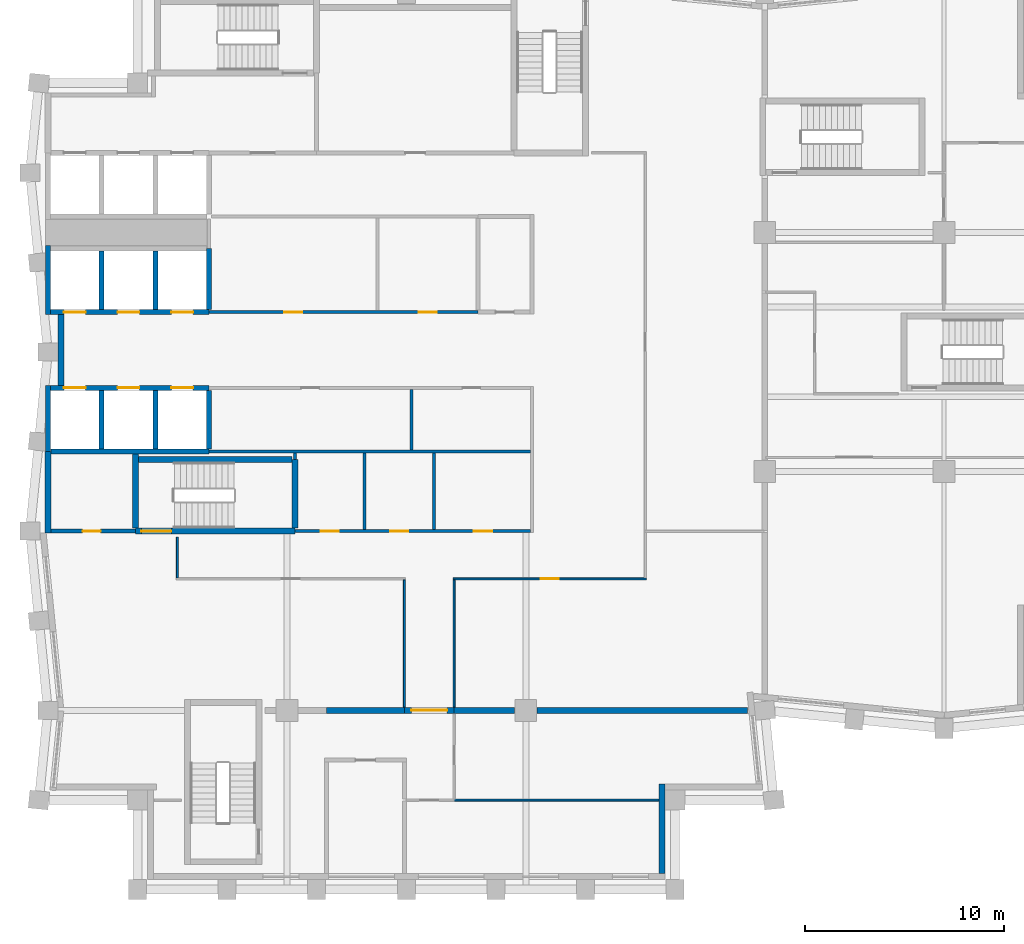
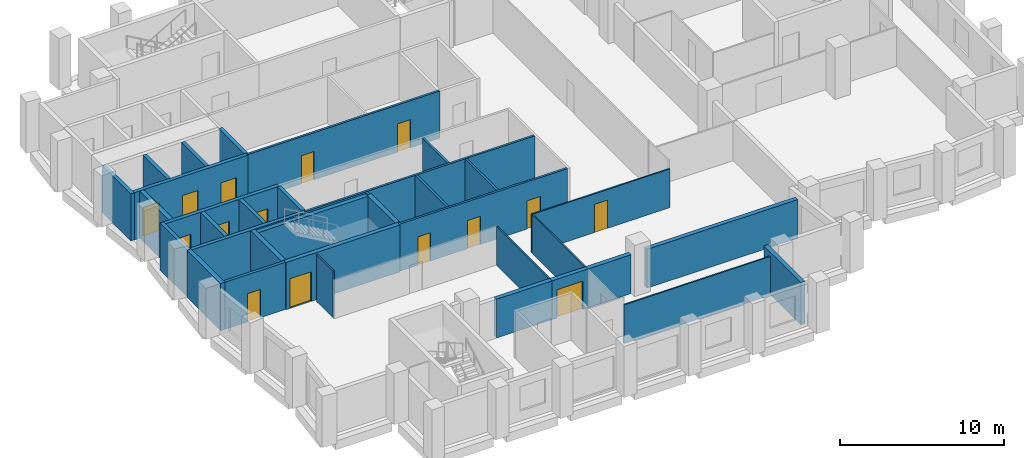
# One storey, part 3 of 8: 35 walls, 15 doors, 15 openings.
"""IFC4 building model written with IfcOpenShell, lengths in metres."""

import ifcopenshell
import ifcopenshell.guid

model = None  # the IFC model being written
_history = None  # IfcOwnerHistory: only IFC2X3 demands one
_inside = {}  # id of a spatial element -> (the spatial element, [elements in it])
_under = {}  # id of a project, library or spatial element -> (it, [spatial elements below it])
_declared = {}  # id of a project -> (the project, [libraries it declares])
_typed = {}  # id of a type object -> (the type object, [elements of that type])
_made_of = {}  # id of a material, layer set ... -> (it, [elements and type objects made of it])


def new_model(schema):
    """Start an empty IFC model of exactly this schema.

    Asked for "IFC4X3", IfcOpenShell would pick the latest addendum, in which some entities
    have other attributes; the version numbers below select the first issue.
    IFC2X3 requires an IfcOwnerHistory on every rooted entity: one is made here for all.
    """
    global model, _history
    if schema == "IFC4X3":
        model = ifcopenshell.file(schema_version=(4, 3, 0, 0))
    else:
        model = ifcopenshell.file(schema=schema)
    _inside.clear()
    _under.clear()
    _declared.clear()
    _typed.clear()
    _made_of.clear()
    _history = None
    if model.schema == "IFC2X3":
        org = make("IfcOrganization", Name="unknown")
        user = make(
            "IfcPersonAndOrganization",
            ThePerson=make("IfcPerson", FamilyName="unknown"),
            TheOrganization=org,
        )
        app = make(
            "IfcApplication",
            ApplicationDeveloper=org,
            Version="unknown",
            ApplicationFullName="unknown",
            ApplicationIdentifier="unknown",
        )
        _history = make(
            "IfcOwnerHistory",
            OwningUser=user,
            OwningApplication=app,
            ChangeAction="ADDED",
            CreationDate=0,
        )
    return model


def make(cls, **values):
    """One entity of the class cls with the attributes given. An attribute that is None is left unset."""
    return model.create_entity(
        cls, **{name: value for name, value in values.items() if value is not None}
    )


def rooted(cls, **values):
    """An entity with a GlobalId (a new one), such as an element, a storey or a relation."""
    return make(cls, GlobalId=ifcopenshell.guid.new(), OwnerHistory=_history, **values)


def si_unit(unit_type, name, prefix=None):
    """IfcSIUnit, for example si_unit("LENGTHUNIT", "METRE", prefix="MILLI")."""
    return make("IfcSIUnit", UnitType=unit_type, Prefix=prefix, Name=name)


def assignment(units):
    """IfcUnitAssignment: the units of a project."""
    return None if units is None else make("IfcUnitAssignment", Units=units)


def point(xyz):
    """IfcCartesianPoint."""
    return None if xyz is None else make("IfcCartesianPoint", Coordinates=xyz)


def direction(xyz):
    """IfcDirection."""
    return None if xyz is None else make("IfcDirection", DirectionRatios=xyz)


def frame(location, z_axis=None, x_axis=None):
    """IfcAxis2Placement3D, a coordinate frame: its origin and axes. An axis left out is left unset."""
    return make(
        "IfcAxis2Placement3D",
        Location=point(location),
        Axis=direction(z_axis),
        RefDirection=direction(x_axis),
    )


def frame_2d(location, x_axis=None):
    """IfcAxis2Placement2D, a coordinate frame in the plane: its origin and x axis."""
    return make(
        "IfcAxis2Placement2D", Location=point(location), RefDirection=direction(x_axis)
    )


def origin():
    """The frame at (0, 0, 0) with its axes left unset."""
    return frame((0.0, 0.0, 0.0))


def place(relative_to, where):
    """IfcLocalPlacement: puts the frame where relative to a parent placement (None: the world)."""
    return make(
        "IfcLocalPlacement", PlacementRelTo=relative_to, RelativePlacement=where
    )


def context(
    kind, dimensions, precision=None, world=None, true_north=None, identifier=None
):
    """IfcGeometricRepresentationContext, for example the 3D "Model" context."""
    return make(
        "IfcGeometricRepresentationContext",
        ContextIdentifier=identifier,
        ContextType=kind,
        CoordinateSpaceDimension=dimensions,
        Precision=precision,
        WorldCoordinateSystem=world,
        TrueNorth=true_north,
    )


def subcontext(parent, identifier, kind, view, scale=None):
    """IfcGeometricRepresentationSubContext, for example "Body" below "Model"."""
    return make(
        "IfcGeometricRepresentationSubContext",
        ContextIdentifier=identifier,
        ContextType=kind,
        ParentContext=parent,
        TargetScale=scale,
        TargetView=view,
    )


def project(units=None, contexts=None):
    """IfcProject with its units and contexts."""
    return rooted(
        "IfcProject",
        Name="project",
        RepresentationContexts=contexts,
        UnitsInContext=assignment(units),
    )


def spatial(cls, under=None, at=None, **own):
    """A site, building, storey or space (cls), placed at a placement, below another one or the project."""
    s = rooted(cls, ObjectPlacement=at, **own)
    if under is not None:
        _under.setdefault(under.id(), (under, []))[1].append(s)
    return s


def profile(cls, at=None, kind="AREA", **sizes):
    """A parametric profile (cls). Its sizes go by their IFC names, for example OverallWidth=200.0."""
    return make(cls, ProfileType=kind, Position=at, **sizes)


def rectangle(**sizes):
    """IfcRectangleProfileDef."""
    return profile("IfcRectangleProfileDef", **sizes)


def extrude(swept, where, along, depth):
    """IfcExtrudedAreaSolid: the profile swept, set in the frame where, extruded along a direction by depth."""
    return make(
        "IfcExtrudedAreaSolid",
        SweptArea=swept,
        Position=where,
        ExtrudedDirection=direction(along),
        Depth=depth,
    )


def shape(context_of_items, identifier, shape_type, items):
    """IfcShapeRepresentation: the items that make up one representation, for example the "Body"."""
    return make(
        "IfcShapeRepresentation",
        ContextOfItems=context_of_items,
        RepresentationIdentifier=identifier,
        RepresentationType=shape_type,
        Items=items,
    )


def material(Name=None, Category=None):
    """IfcMaterial."""
    return make("IfcMaterial", Name=Name, Category=Category)


def layer(
    of_material, thickness, ventilated=None, Name=None, Category=None, Priority=None
):
    """IfcMaterialLayer: one layer of a wall or slab, of a material (None: an air gap)."""
    return make(
        "IfcMaterialLayer",
        Material=of_material,
        LayerThickness=thickness,
        IsVentilated=ventilated,
        Name=Name,
        Category=Category,
        Priority=Priority,
    )


def layer_set(layers, Name=None):
    """IfcMaterialLayerSet."""
    return make("IfcMaterialLayerSet", MaterialLayers=layers, LayerSetName=Name)


def made_of(thing, what):
    """Note that an element or type object is made of a material, layer set ...; save() writes the relation."""
    if what is not None:
        _made_of.setdefault(what.id(), (what, []))[1].append(thing)
    return thing


def type_object(cls, material=None, **own):
    """A type object (cls), such as IfcWallType, which elements share."""
    return made_of(rooted(cls, **own), material)


def element(
    cls,
    number,
    at=None,
    inside=None,
    cuts=None,
    type_object=None,
    material=None,
    context=None,
    identifier="Body",
    shape_type=None,
    held_by="IfcProductDefinitionShape",
    body=None,
    shapes=None,
    **own,
):
    """One element of the class cls, such as IfcWall. Its Tag is "e" and its number.

    at: its placement. inside: the storey or other place that contains it. cuts: it is an
    opening in that element (IfcRelVoidsElement). A single representation is given by context,
    identifier, shape_type and body (its items); several are given by shapes. held_by: the class
    of the entity that holds the representations. save() writes the other relations.
    """
    e = rooted(cls, Tag="e%d" % number, ObjectPlacement=at, **own)
    if body is not None:
        shapes = [shape(context, identifier, shape_type, body)]
    if shapes is not None:
        e.Representation = make(held_by, Representations=shapes)
    if inside is not None:
        _inside.setdefault(inside.id(), (inside, []))[1].append(e)
    if cuts is not None:
        rooted(
            "IfcRelVoidsElement", RelatingBuildingElement=cuts, RelatedOpeningElement=e
        )
    if type_object is not None:
        _typed.setdefault(type_object.id(), (type_object, []))[1].append(e)
    return made_of(e, material)


def fill(opening, filler):
    """IfcRelFillsElement: the door or window that sits in an opening."""
    return rooted(
        "IfcRelFillsElement",
        RelatingOpeningElement=opening,
        RelatedBuildingElement=filler,
    )


def aggregate(whole, parts):
    """IfcRelAggregates: a whole, such as a stair, and the parts it consists of."""
    return rooted("IfcRelAggregates", RelatingObject=whole, RelatedObjects=parts)


def save(model, path):
    """Write the relations noted so far, then the file.

    IfcRelAggregates (storeys below a building ...), IfcRelContainedInSpatialStructure (elements
    in a storey), IfcRelDefinesByType, IfcRelAssociatesMaterial and IfcRelDeclares: one each for
    every whole, place, type object, material and project.
    """
    for whole, parts in _under.values():
        aggregate(whole, parts)
    for where, things in _inside.values():
        rooted(
            "IfcRelContainedInSpatialStructure",
            RelatedElements=things,
            RelatingStructure=where,
        )
    for kind, things in _typed.values():
        rooted("IfcRelDefinesByType", RelatedObjects=things, RelatingType=kind)
    for what, things in _made_of.values():
        rooted("IfcRelAssociatesMaterial", RelatedObjects=things, RelatingMaterial=what)
    for by, libraries in _declared.values():
        rooted("IfcRelDeclares", RelatingContext=by, RelatedDefinitions=libraries)
    model.write(path)


model = new_model("IFC4")

# Units and contexts
model_context = context("Model", 3, precision=1e-05, world=origin(), true_north=direction((0.0, 1.0)))
body_context = subcontext(model_context, "Body", "Model", "MODEL_VIEW")
ifc_project = project(units=[si_unit("LENGTHUNIT", "METRE"), si_unit("AREAUNIT", "SQUARE_METRE"), si_unit("VOLUMEUNIT", "CUBIC_METRE"), si_unit("PLANEANGLEUNIT", "RADIAN"), si_unit("MASSUNIT", "GRAM", prefix="KILO")], contexts=[model_context])

# Site, building, storey
site_placement = place(None, origin())
site = spatial("IfcSite", under=ifc_project, at=site_placement, CompositionType="ELEMENT")
building_placement = place(site_placement, origin())
building = spatial("IfcBuilding", under=site, at=building_placement, Name="Brondeck Convention Tower", CompositionType="ELEMENT")
storey_placement = place(building_placement, frame((0.0, 0.0, 233.0)))
storey = spatial("IfcBuildingStorey", under=building, at=storey_placement, Name="L57", CompositionType="ELEMENT", Elevation=233.0)

# Wall
ifc_material_1 = material(Name="Concrete compartment wall C30/37", Category="concrete")
ifc_layer_1 = layer(ifc_material_1, 0.300048828125)
ifc_layer_set_1 = layer_set([ifc_layer_1], Name="Compartment wall 300")
wall_type_1 = type_object("IfcWallType", Name="Compartment wall 300", PredefinedType="PARTITIONING", material=ifc_layer_set_1)
wall_1_placement = place(storey_placement, frame((14.0, 27.0, 0.0), z_axis=(0.0, 0.0, 1.0), x_axis=(1.0, 0.0, 0.0)))
element("IfcWall", 1, at=wall_1_placement, inside=storey, type_object=wall_type_1, Name="FLR-L57-W015", PredefinedType="PARTITIONING", context=body_context, shape_type="SweptSolid", body=[
    extrude(rectangle(XDim=3.89990234375, YDim=0.300048828125, at=frame_2d((1.949951171875, 0.0))), origin(), (0.0, 0.0, 1.0), 2.8798828125),
])

# Wall, opening, door
wall_2_placement = place(storey_placement, frame((20.39990234375, 27.0, 0.0), z_axis=(0.0, 0.0, 1.0), x_axis=(-1.0, 0.0, 0.0)))
wall_2 = element("IfcWall", 2, at=wall_2_placement, inside=storey, type_object=wall_type_1, Name="FLR-L57-W016", PredefinedType="PARTITIONING", context=body_context, shape_type="SweptSolid", body=[
    extrude(rectangle(XDim=2.5, YDim=0.300048828125, at=frame_2d((1.25, 0.0))), origin(), (0.0, 0.0, 1.0), 2.8798828125),
])
opening_1_placement = place(wall_2_placement, frame((0.35009765625, 0.0, 0.0)))
opening_1 = element("IfcOpeningElement", 3, at=opening_1_placement, cuts=wall_2, Name="Opening OF-N-012", PredefinedType="OPENING", context=body_context, shape_type="SweptSolid", body=[
    extrude(rectangle(XDim=1.800048828125, YDim=2.10009765625, at=frame_2d((0.89990234375, 1.050048828125))), frame((0.0, 0.159912109375, 0.0), z_axis=(0.0, -1.0, 0.0), x_axis=(1.0, 0.0, 0.0)), (0.0, 0.0, 1.0), 0.320068359375),
])
ifc_material_2 = material(Name="Steel fire door pair", Category="steel")
door_type_1 = type_object("IfcDoorType", Name="Fire door pair 1800", OperationType="DOUBLE_DOOR_SINGLE_SWING", PredefinedType="DOOR", material=ifc_material_2)
door_1_placement = place(opening_1_placement, origin())
door_1 = element("IfcDoor", 4, at=door_1_placement, inside=storey, type_object=door_type_1, Name="Door OF-N-012", OperationType="DOUBLE_DOOR_SINGLE_SWING", OverallHeight=2.10009765625, OverallWidth=1.800048828125, PredefinedType="DOOR", context=body_context, shape_type="SweptSolid", body=[
    extrude(rectangle(XDim=1.800048828125, YDim=2.10009765625, at=frame_2d((0.89990234375, 1.050048828125))), frame((0.0, 0.02490234375, 0.0), z_axis=(0.0, -1.0, 0.0), x_axis=(1.0, 0.0, 0.0)), (0.0, 0.0, 1.0), 0.050048828125),
])
fill(opening_1, door_1)

# Walls
wall_3_placement = place(storey_placement, frame((20.39990234375, 27.0, 0.0), z_axis=(0.0, 0.0, 1.0), x_axis=(1.0, 0.0, 0.0)))
element("IfcWall", 5, at=wall_3_placement, inside=storey, type_object=wall_type_1, Name="FLR-L57-W017", PredefinedType="PARTITIONING", context=body_context, shape_type="SweptSolid", body=[
    extrude(rectangle(XDim=3.045166015625, YDim=0.300048828125, at=frame_2d((1.5224609375, 0.0))), origin(), (0.0, 0.0, 1.0), 2.8798828125),
])
wall_4_placement = place(storey_placement, frame((24.554931640625, 27.0, 0.0), z_axis=(0.0, 0.0, 1.0), x_axis=(1.0, 0.0, 0.0)))
element("IfcWall", 6, at=wall_4_placement, inside=storey, type_object=wall_type_1, Name="FLR-L57-W018", PredefinedType="PARTITIONING", context=body_context, shape_type="SweptSolid", body=[
    extrude(rectangle(XDim=10.591064453125, YDim=0.300048828125, at=frame_2d((5.29541015625, 0.0))), origin(), (0.0, 0.0, 1.0), 2.8798828125),
])

# Wall, openings, doors
ifc_material_3 = material(Name="Concrete C50/60", Category="concrete")
ifc_layer_2 = layer(ifc_material_3, 0.14990234375)
ifc_layer_set_2 = layer_set([ifc_layer_2], Name="Core beam-seat wall 150 Concrete C50/60")
wall_type_2 = type_object("IfcWallType", Name="Core beam-seat wall 150 Concrete C50/60", PredefinedType="SHEAR", material=ifc_layer_set_2)
wall_5_placement = place(storey_placement, frame((12.39990234375, 36.0, 0.0), z_axis=(0.0, 0.0, 1.0), x_axis=(1.0, 0.0, 0.0)))
wall_5 = element("IfcWall", 7, at=wall_5_placement, inside=storey, type_object=wall_type_2, Name="L57 core wall", PredefinedType="SHEAR", context=body_context, shape_type="SweptSolid", body=[
    extrude(rectangle(XDim=11.8251953125, YDim=0.14990234375, at=frame_2d((5.91259765625, 0.0))), origin(), (0.0, 0.0, 1.0), 3.5),
])
opening_2_placement = place(wall_5_placement, frame((1.300048828125, 0.0, 0.0)))
opening_2 = element("IfcOpeningElement", 8, at=opening_2_placement, cuts=wall_5, Name="Opening C31-03", PredefinedType="OPENING", context=body_context, shape_type="SweptSolid", body=[
    extrude(rectangle(XDim=0.89990234375, YDim=2.10009765625, at=frame_2d((0.449951171875, 1.050048828125))), frame((0.0, 0.0849609375, 0.0), z_axis=(0.0, -1.0, 0.0), x_axis=(1.0, 0.0, 0.0)), (0.0, 0.0, 1.0), 0.169921875),
])
opening_3_placement = place(wall_5_placement, frame((4.800048828125, 0.0, 0.0)))
opening_3 = element("IfcOpeningElement", 9, at=opening_3_placement, cuts=wall_5, Name="Opening C31-04", PredefinedType="OPENING", context=body_context, shape_type="SweptSolid", body=[
    extrude(rectangle(XDim=0.89990234375, YDim=2.10009765625, at=frame_2d((0.449951171875, 1.050048828125))), frame((0.0, 0.0849609375, 0.0), z_axis=(0.0, -1.0, 0.0), x_axis=(1.0, 0.0, 0.0)), (0.0, 0.0, 1.0), 0.169921875),
])
opening_4_placement = place(wall_5_placement, frame((8.97509765625, 0.0, 0.0)))
opening_4 = element("IfcOpeningElement", 10, at=opening_4_placement, cuts=wall_5, Name="Opening C31-05", PredefinedType="OPENING", context=body_context, shape_type="SweptSolid", body=[
    extrude(rectangle(XDim=0.949951171875, YDim=2.10009765625, at=frame_2d((0.47509765625, 1.050048828125))), frame((0.0, 0.0849609375, 0.0), z_axis=(0.0, -1.0, 0.0), x_axis=(1.0, 0.0, 0.0)), (0.0, 0.0, 1.0), 0.169921875),
])
ifc_material_4 = material(Name="Steel fire door", Category="steel")
door_type_2 = type_object("IfcDoorType", Name="Room door 900x2100 EI 60", OperationType="NOTDEFINED", PredefinedType="DOOR", material=ifc_material_4)
door_2_placement = place(opening_2_placement, origin())
door_2 = element("IfcDoor", 11, at=door_2_placement, inside=storey, type_object=door_type_2, Name="L57 Room door FR-1", OperationType="SINGLE_SWING_RIGHT", OverallHeight=2.10009765625, OverallWidth=0.89990234375, PredefinedType="DOOR", context=body_context, shape_type="SweptSolid", body=[
    extrude(rectangle(XDim=0.89990234375, YDim=2.10009765625, at=frame_2d((0.449951171875, 1.050048828125))), frame((0.0, 0.02490234375, 0.0), z_axis=(0.0, -1.0, 0.0), x_axis=(1.0, 0.0, 0.0)), (0.0, 0.0, 1.0), 0.050048828125),
])
fill(opening_2, door_2)
door_3_placement = place(opening_3_placement, origin())
door_3 = element("IfcDoor", 12, at=door_3_placement, inside=storey, type_object=door_type_2, Name="L57 Room door FR-2", OperationType="SINGLE_SWING_LEFT", OverallHeight=2.10009765625, OverallWidth=0.89990234375, PredefinedType="DOOR", context=body_context, shape_type="SweptSolid", body=[
    extrude(rectangle(XDim=0.89990234375, YDim=2.10009765625, at=frame_2d((0.449951171875, 1.050048828125))), frame((0.0, 0.02490234375, 0.0), z_axis=(0.0, -1.0, 0.0), x_axis=(1.0, 0.0, 0.0)), (0.0, 0.0, 1.0), 0.050048828125),
])
fill(opening_3, door_3)
door_type_3 = type_object("IfcDoorType", Name="Room door 950x2100 EI 60", OperationType="NOTDEFINED", PredefinedType="DOOR", material=ifc_material_4)
door_4_placement = place(opening_4_placement, origin())
door_4 = element("IfcDoor", 13, at=door_4_placement, inside=storey, type_object=door_type_3, Name="L57 Room door FR-3", OperationType="SINGLE_SWING_RIGHT", OverallHeight=2.10009765625, OverallWidth=0.949951171875, PredefinedType="DOOR", context=body_context, shape_type="SweptSolid", body=[
    extrude(rectangle(XDim=0.949951171875, YDim=2.10009765625, at=frame_2d((0.47509765625, 1.050048828125))), frame((0.0, 0.02490234375, 0.0), z_axis=(0.0, -1.0, 0.0), x_axis=(1.0, 0.0, 0.0)), (0.0, 0.0, 1.0), 0.050048828125),
])
fill(opening_4, door_4)

# Walls
ifc_layer_3 = layer(ifc_material_3, 0.300048828125)
ifc_layer_set_3 = layer_set([ifc_layer_3], Name="Core outer wall 300 Concrete C50/60")
wall_type_3 = type_object("IfcWallType", Name="Core outer wall 300 Concrete C50/60", PredefinedType="SHEAR", material=ifc_layer_set_3)
wall_6_placement = place(storey_placement, frame((0.0, 35.89990234375, 0.0), z_axis=(0.0, 0.0, 1.0), x_axis=(0.0, 1.0, 0.0)))
element("IfcWall", 14, at=wall_6_placement, inside=storey, type_object=wall_type_3, Name="L57 core wall", PredefinedType="SHEAR", context=body_context, shape_type="SweptSolid", body=[
    extrude(rectangle(XDim=4.10009765625, YDim=0.300048828125, at=frame_2d((2.050048828125, 0.0))), origin(), (0.0, 0.0, 1.0), 3.5),
])
wall_7_placement = place(storey_placement, frame((0.64990234375, 43.324951171875, 0.0), z_axis=(0.0, 0.0, 1.0), x_axis=(0.0, 1.0, 0.0)))
element("IfcWall", 15, at=wall_7_placement, inside=storey, type_object=wall_type_3, Name="L57 core wall", PredefinedType="SHEAR", context=body_context, shape_type="SweptSolid", body=[
    extrude(rectangle(XDim=3.550048828125, YDim=0.300048828125, at=frame_2d((1.77490234375, 0.0))), origin(), (0.0, 0.0, 1.0), 3.5),
])
ifc_material_5 = material(Name="Fire-rated gypsum board partition")
ifc_layer_4 = layer(ifc_material_5, 0.14990234375)
ifc_layer_set_4 = layer_set([ifc_layer_4], Name="Core partition 150 EI 60")
wall_type_4 = type_object("IfcWallType", Name="Core partition 150 EI 60", PredefinedType="PARTITIONING", material=ifc_layer_set_4)
wall_8_placement = place(storey_placement, frame((8.10009765625, 40.0, 0.0), z_axis=(0.0, 0.0, 1.0), x_axis=(1.0, 0.0, 0.0)))
element("IfcWall", 16, at=wall_8_placement, inside=storey, type_object=wall_type_4, Name="L57 core wall", PredefinedType="PARTITIONING", context=body_context, shape_type="SweptSolid", body=[
    extrude(rectangle(XDim=16.125, YDim=0.14990234375, at=frame_2d((8.0625, 0.0))), origin(), (0.0, 0.0, 1.0), 3.5),
])

# Wall, openings, doors
wall_9_placement = place(storey_placement, frame((8.10009765625, 47.0, 0.0), z_axis=(0.0, 0.0, 1.0), x_axis=(1.0, 0.0, 0.0)))
wall_9 = element("IfcWall", 17, at=wall_9_placement, inside=storey, type_object=wall_type_4, Name="L57 core wall", PredefinedType="PARTITIONING", context=body_context, shape_type="SweptSolid", body=[
    extrude(rectangle(XDim=13.5, YDim=0.14990234375, at=frame_2d((6.75, 0.0))), origin(), (0.0, 0.0, 1.0), 3.5),
])
opening_5_placement = place(wall_9_placement, frame((3.77490234375, 0.0, 0.0)))
opening_5 = element("IfcOpeningElement", 18, at=opening_5_placement, cuts=wall_9, Name="Opening C31-07", PredefinedType="OPENING", context=body_context, shape_type="SweptSolid", body=[
    extrude(rectangle(XDim=0.89990234375, YDim=2.10009765625, at=frame_2d((0.449951171875, 1.050048828125))), frame((0.0, 0.0849609375, 0.0), z_axis=(0.0, -1.0, 0.0), x_axis=(1.0, 0.0, 0.0)), (0.0, 0.0, 1.0), 0.169921875),
])
opening_6_placement = place(wall_9_placement, frame((10.52490234375, 0.0, 0.0)))
opening_6 = element("IfcOpeningElement", 19, at=opening_6_placement, cuts=wall_9, Name="Opening C31-08", PredefinedType="OPENING", context=body_context, shape_type="SweptSolid", body=[
    extrude(rectangle(XDim=0.89990234375, YDim=2.10009765625, at=frame_2d((0.449951171875, 1.050048828125))), frame((0.0, 0.0849609375, 0.0), z_axis=(0.0, -1.0, 0.0), x_axis=(1.0, 0.0, 0.0)), (0.0, 0.0, 1.0), 0.169921875),
])
door_5_placement = place(opening_5_placement, origin())
door_5 = element("IfcDoor", 20, at=door_5_placement, inside=storey, type_object=door_type_2, Name="L57 Room door FZ-N-8.1-1", OperationType="SINGLE_SWING_LEFT", OverallHeight=2.10009765625, OverallWidth=0.89990234375, PredefinedType="DOOR", context=body_context, shape_type="SweptSolid", body=[
    extrude(rectangle(XDim=0.89990234375, YDim=2.10009765625, at=frame_2d((0.449951171875, 1.050048828125))), frame((0.0, 0.02490234375, 0.0), z_axis=(0.0, -1.0, 0.0), x_axis=(1.0, 0.0, 0.0)), (0.0, 0.0, 1.0), 0.050048828125),
])
fill(opening_5, door_5)
door_6_placement = place(opening_6_placement, origin())
door_6 = element("IfcDoor", 21, at=door_6_placement, inside=storey, type_object=door_type_2, Name="L57 Room door FZ-N-8.1-2", OperationType="SINGLE_SWING_RIGHT", OverallHeight=2.10009765625, OverallWidth=0.89990234375, PredefinedType="DOOR", context=body_context, shape_type="SweptSolid", body=[
    extrude(rectangle(XDim=0.89990234375, YDim=2.10009765625, at=frame_2d((0.449951171875, 1.050048828125))), frame((0.0, 0.02490234375, 0.0), z_axis=(0.0, -1.0, 0.0), x_axis=(1.0, 0.0, 0.0)), (0.0, 0.0, 1.0), 0.050048828125),
])
fill(opening_6, door_6)

# Walls
wall_10_placement = place(storey_placement, frame((12.39990234375, 39.60009765625, 0.0), z_axis=(0.0, 0.0, 1.0), x_axis=(0.0, 1.0, 0.0)))
element("IfcWall", 22, at=wall_10_placement, inside=storey, type_object=wall_type_4, Name="L57 core wall", PredefinedType="PARTITIONING", context=body_context, shape_type="SweptSolid", body=[
    extrude(rectangle(XDim=0.324951171875, YDim=0.14990234375, at=frame_2d((0.16259765625, 0.0))), origin(), (0.0, 0.0, 1.0), 3.5),
])
wall_11_placement = place(storey_placement, frame((15.89990234375, 36.074951171875, 0.0), z_axis=(0.0, 0.0, 1.0), x_axis=(0.0, 1.0, 0.0)))
element("IfcWall", 23, at=wall_11_placement, inside=storey, type_object=wall_type_4, Name="L57 core wall", PredefinedType="PARTITIONING", context=body_context, shape_type="SweptSolid", body=[
    extrude(rectangle(XDim=3.85009765625, YDim=0.14990234375, at=frame_2d((1.925048828125, 0.0))), origin(), (0.0, 0.0, 1.0), 3.5),
])
wall_12_placement = place(storey_placement, frame((18.25, 40.074951171875, 0.0), z_axis=(0.0, 0.0, 1.0), x_axis=(0.0, 1.0, 0.0)))
element("IfcWall", 24, at=wall_12_placement, inside=storey, type_object=wall_type_4, Name="L57 core wall", PredefinedType="PARTITIONING", context=body_context, shape_type="SweptSolid", body=[
    extrude(rectangle(XDim=3.050048828125, YDim=0.14990234375, at=frame_2d((1.52490234375, 0.0))), origin(), (0.0, 0.0, 1.0), 3.5),
])
wall_13_placement = place(storey_placement, frame((19.39990234375, 36.074951171875, 0.0), z_axis=(0.0, 0.0, 1.0), x_axis=(0.0, 1.0, 0.0)))
element("IfcWall", 25, at=wall_13_placement, inside=storey, type_object=wall_type_4, Name="L57 core wall", PredefinedType="PARTITIONING", context=body_context, shape_type="SweptSolid", body=[
    extrude(rectangle(XDim=3.85009765625, YDim=0.14990234375, at=frame_2d((1.925048828125, 0.0))), origin(), (0.0, 0.0, 1.0), 3.5),
])
ifc_material_6 = material(Name="Precast concrete C50/60 bronze finish", Category="concrete")
ifc_layer_5 = layer(ifc_material_6, 0.070068359375, Name="Bronze precast facing")
ifc_material_7 = material(Name="Mineral wool")
ifc_layer_6 = layer(ifc_material_7, 0.159912109375, Name="Insulation")
ifc_material_8 = material(Name="Concrete C35/45", Category="concrete")
ifc_layer_7 = layer(ifc_material_8, 0.070068359375, Name="Backing")
ifc_layer_set_5 = layer_set([ifc_layer_5, ifc_layer_6, ifc_layer_7], Name="External infill wall, precast concrete C50/60 bronze facing")
wall_type_5 = type_object("IfcWallType", Name="External infill wall, precast concrete C50/60 bronze facing", PredefinedType="SOLIDWALL", material=ifc_layer_set_5)
wall_14_placement = place(storey_placement, frame((30.85009765625, 23.300048828125, 0.0), z_axis=(0.0, 0.0, 1.0), x_axis=(0.0, -1.0, 0.0)))
element("IfcWall", 26, at=wall_14_placement, inside=storey, type_object=wall_type_5, Name="ENV-EW-L57-P2-NC-SEB18-01", PredefinedType="SOLIDWALL", context=body_context, shape_type="SweptSolid", body=[
    extrude(rectangle(XDim=4.5, YDim=0.300048828125, at=frame_2d((2.25, 0.0))), origin(), (0.0, 0.0, 1.0), 3.14990234375),
])
ifc_layer_8 = layer(ifc_material_3, 0.25)
ifc_layer_set_6 = layer_set([ifc_layer_8], Name="Lift shaft wall 250 Concrete C50/60")
wall_type_6 = type_object("IfcWallType", Name="Lift shaft wall 250 Concrete C50/60", PredefinedType="SHEAR", material=ifc_layer_set_6)
wall_15_placement = place(storey_placement, frame((0.14990234375, 40.0, 0.0), z_axis=(0.0, 0.0, 1.0), x_axis=(1.0, 0.0, 0.0)))
element("IfcWall", 27, at=wall_15_placement, inside=storey, type_object=wall_type_6, Name="L57 core wall", PredefinedType="SHEAR", context=body_context, shape_type="SweptSolid", body=[
    extrude(rectangle(XDim=7.9501953125, YDim=0.25, at=frame_2d((3.97509765625, 0.0))), origin(), (0.0, 0.0, 1.0), 3.5),
])

# Wall, openings, doors
wall_16_placement = place(storey_placement, frame((0.125, 43.199951171875, 0.0), z_axis=(0.0, 0.0, 1.0), x_axis=(1.0, 0.0, 0.0)))
wall_16 = element("IfcWall", 28, at=wall_16_placement, inside=storey, type_object=wall_type_6, Name="L57 core wall", PredefinedType="SHEAR", context=body_context, shape_type="SweptSolid", body=[
    extrude(rectangle(XDim=7.97509765625, YDim=0.25, at=frame_2d((3.987548828125, 0.0))), origin(), (0.0, 0.0, 1.0), 3.5),
])
opening_7_placement = place(wall_16_placement, frame((0.675048828125, 0.0, 0.0)))
opening_7 = element("IfcOpeningElement", 29, at=opening_7_placement, cuts=wall_16, Name="Opening C31-21", PredefinedType="OPENING", context=body_context, shape_type="SweptSolid", body=[
    extrude(rectangle(XDim=1.10009765625, YDim=2.10009765625, at=frame_2d((0.550048828125, 1.050048828125))), frame((0.0, 0.135009765625, 0.0), z_axis=(0.0, -1.0, 0.0), x_axis=(1.0, 0.0, 0.0)), (0.0, 0.0, 1.0), 0.27001953125),
])
opening_8_placement = place(wall_16_placement, frame((3.375, 0.0, 0.0)))
opening_8 = element("IfcOpeningElement", 30, at=opening_8_placement, cuts=wall_16, Name="Opening C31-22", PredefinedType="OPENING", context=body_context, shape_type="SweptSolid", body=[
    extrude(rectangle(XDim=1.10009765625, YDim=2.10009765625, at=frame_2d((0.550048828125, 1.050048828125))), frame((0.0, 0.135009765625, 0.0), z_axis=(0.0, -1.0, 0.0), x_axis=(1.0, 0.0, 0.0)), (0.0, 0.0, 1.0), 0.27001953125),
])
opening_9_placement = place(wall_16_placement, frame((6.074951171875, 0.0, 0.0)))
opening_9 = element("IfcOpeningElement", 31, at=opening_9_placement, cuts=wall_16, Name="Opening C31-23", PredefinedType="OPENING", context=body_context, shape_type="SweptSolid", body=[
    extrude(rectangle(XDim=1.10009765625, YDim=2.10009765625, at=frame_2d((0.550048828125, 1.050048828125))), frame((0.0, 0.135009765625, 0.0), z_axis=(0.0, -1.0, 0.0), x_axis=(1.0, 0.0, 0.0)), (0.0, 0.0, 1.0), 0.27001953125),
])
ifc_material_9 = material(Name="Stainless steel lift door", Category="steel")
door_type_4 = type_object("IfcDoorType", Name="Lift landing door 1100x2100 EI 180", OperationType="DOUBLE_DOOR_SLIDING", PredefinedType="DOOR", material=ifc_material_9)
door_7_placement = place(opening_7_placement, origin())
door_7 = element("IfcDoor", 32, at=door_7_placement, inside=storey, type_object=door_type_4, Name="L57 Lift landing door HR1", OperationType="DOUBLE_DOOR_SLIDING", OverallHeight=2.10009765625, OverallWidth=1.10009765625, PredefinedType="DOOR", context=body_context, shape_type="SweptSolid", body=[
    extrude(rectangle(XDim=1.10009765625, YDim=2.10009765625, at=frame_2d((0.550048828125, 1.050048828125))), frame((0.0, 0.02490234375, 0.0), z_axis=(0.0, -1.0, 0.0), x_axis=(1.0, 0.0, 0.0)), (0.0, 0.0, 1.0), 0.050048828125),
])
fill(opening_7, door_7)
door_8_placement = place(opening_8_placement, origin())
door_8 = element("IfcDoor", 33, at=door_8_placement, inside=storey, type_object=door_type_4, Name="L57 Lift landing door HR2", OperationType="DOUBLE_DOOR_SLIDING", OverallHeight=2.10009765625, OverallWidth=1.10009765625, PredefinedType="DOOR", context=body_context, shape_type="SweptSolid", body=[
    extrude(rectangle(XDim=1.10009765625, YDim=2.10009765625, at=frame_2d((0.550048828125, 1.050048828125))), frame((0.0, 0.02490234375, 0.0), z_axis=(0.0, -1.0, 0.0), x_axis=(1.0, 0.0, 0.0)), (0.0, 0.0, 1.0), 0.050048828125),
])
fill(opening_8, door_8)
door_9_placement = place(opening_9_placement, origin())
door_9 = element("IfcDoor", 34, at=door_9_placement, inside=storey, type_object=door_type_4, Name="L57 Lift landing door HR3", OperationType="DOUBLE_DOOR_SLIDING", OverallHeight=2.10009765625, OverallWidth=1.10009765625, PredefinedType="DOOR", context=body_context, shape_type="SweptSolid", body=[
    extrude(rectangle(XDim=1.10009765625, YDim=2.10009765625, at=frame_2d((0.550048828125, 1.050048828125))), frame((0.0, 0.02490234375, 0.0), z_axis=(0.0, -1.0, 0.0), x_axis=(1.0, 0.0, 0.0)), (0.0, 0.0, 1.0), 0.050048828125),
])
fill(opening_9, door_9)

wall_17_placement = place(storey_placement, frame((0.125, 47.0, 0.0), z_axis=(0.0, 0.0, 1.0), x_axis=(1.0, 0.0, 0.0)))
wall_17 = element("IfcWall", 35, at=wall_17_placement, inside=storey, type_object=wall_type_6, Name="L57 core wall", PredefinedType="SHEAR", context=body_context, shape_type="SweptSolid", body=[
    extrude(rectangle(XDim=7.97509765625, YDim=0.25, at=frame_2d((3.987548828125, 0.0))), origin(), (0.0, 0.0, 1.0), 3.5),
])
opening_10_placement = place(wall_17_placement, frame((0.675048828125, 0.0, 0.0)))
opening_10 = element("IfcOpeningElement", 36, at=opening_10_placement, cuts=wall_17, Name="Opening C31-24", PredefinedType="OPENING", context=body_context, shape_type="SweptSolid", body=[
    extrude(rectangle(XDim=1.10009765625, YDim=2.10009765625, at=frame_2d((0.550048828125, 1.050048828125))), frame((0.0, 0.135009765625, 0.0), z_axis=(0.0, -1.0, 0.0), x_axis=(1.0, 0.0, 0.0)), (0.0, 0.0, 1.0), 0.27001953125),
])
opening_11_placement = place(wall_17_placement, frame((3.375, 0.0, 0.0)))
opening_11 = element("IfcOpeningElement", 37, at=opening_11_placement, cuts=wall_17, Name="Opening C31-25", PredefinedType="OPENING", context=body_context, shape_type="SweptSolid", body=[
    extrude(rectangle(XDim=1.10009765625, YDim=2.10009765625, at=frame_2d((0.550048828125, 1.050048828125))), frame((0.0, 0.135009765625, 0.0), z_axis=(0.0, -1.0, 0.0), x_axis=(1.0, 0.0, 0.0)), (0.0, 0.0, 1.0), 0.27001953125),
])
opening_12_placement = place(wall_17_placement, frame((6.074951171875, 0.0, 0.0)))
opening_12 = element("IfcOpeningElement", 38, at=opening_12_placement, cuts=wall_17, Name="Opening C31-26", PredefinedType="OPENING", context=body_context, shape_type="SweptSolid", body=[
    extrude(rectangle(XDim=1.10009765625, YDim=2.10009765625, at=frame_2d((0.550048828125, 1.050048828125))), frame((0.0, 0.135009765625, 0.0), z_axis=(0.0, -1.0, 0.0), x_axis=(1.0, 0.0, 0.0)), (0.0, 0.0, 1.0), 0.27001953125),
])
door_10_placement = place(opening_10_placement, origin())
door_10 = element("IfcDoor", 39, at=door_10_placement, inside=storey, type_object=door_type_4, Name="L57 Lift landing door HR4", OperationType="DOUBLE_DOOR_SLIDING", OverallHeight=2.10009765625, OverallWidth=1.10009765625, PredefinedType="DOOR", context=body_context, shape_type="SweptSolid", body=[
    extrude(rectangle(XDim=1.10009765625, YDim=2.10009765625, at=frame_2d((0.550048828125, 1.050048828125))), frame((0.0, 0.02490234375, 0.0), z_axis=(0.0, -1.0, 0.0), x_axis=(1.0, 0.0, 0.0)), (0.0, 0.0, 1.0), 0.050048828125),
])
fill(opening_10, door_10)
door_11_placement = place(opening_11_placement, origin())
door_11 = element("IfcDoor", 40, at=door_11_placement, inside=storey, type_object=door_type_4, Name="L57 Lift landing door HR5", OperationType="DOUBLE_DOOR_SLIDING", OverallHeight=2.10009765625, OverallWidth=1.10009765625, PredefinedType="DOOR", context=body_context, shape_type="SweptSolid", body=[
    extrude(rectangle(XDim=1.10009765625, YDim=2.10009765625, at=frame_2d((0.550048828125, 1.050048828125))), frame((0.0, 0.02490234375, 0.0), z_axis=(0.0, -1.0, 0.0), x_axis=(1.0, 0.0, 0.0)), (0.0, 0.0, 1.0), 0.050048828125),
])
fill(opening_11, door_11)
door_12_placement = place(opening_12_placement, origin())
door_12 = element("IfcDoor", 41, at=door_12_placement, inside=storey, type_object=door_type_4, Name="L57 Lift landing door HR6", OperationType="DOUBLE_DOOR_SLIDING", OverallHeight=2.10009765625, OverallWidth=1.10009765625, PredefinedType="DOOR", context=body_context, shape_type="SweptSolid", body=[
    extrude(rectangle(XDim=1.10009765625, YDim=2.10009765625, at=frame_2d((0.550048828125, 1.050048828125))), frame((0.0, 0.02490234375, 0.0), z_axis=(0.0, -1.0, 0.0), x_axis=(1.0, 0.0, 0.0)), (0.0, 0.0, 1.0), 0.050048828125),
])
fill(opening_12, door_12)

# Walls
wall_18_placement = place(storey_placement, frame((0.0, 40.0, 0.0), z_axis=(0.0, 0.0, 1.0), x_axis=(0.0, 1.0, 0.0)))
element("IfcWall", 42, at=wall_18_placement, inside=storey, type_object=wall_type_6, Name="L57 core wall", PredefinedType="SHEAR", context=body_context, shape_type="SweptSolid", body=[
    extrude(rectangle(XDim=3.324951171875, YDim=0.25, at=frame_2d((1.66259765625, 0.0))), origin(), (0.0, 0.0, 1.0), 3.5),
])
wall_19_placement = place(storey_placement, frame((0.0, 46.875, 0.0), z_axis=(0.0, 0.0, 1.0), x_axis=(0.0, 1.0, 0.0)))
element("IfcWall", 43, at=wall_19_placement, inside=storey, type_object=wall_type_6, Name="L57 core wall", PredefinedType="SHEAR", context=body_context, shape_type="SweptSolid", body=[
    extrude(rectangle(XDim=3.47509765625, YDim=0.25, at=frame_2d((1.737548828125, 0.0))), origin(), (0.0, 0.0, 1.0), 3.5),
])
for number, where, z_axis, x_axis, name in (
    (44, (2.699951171875, 40.125, 0.0), (0.0, 0.0, 1.0), (0.0, 1.0, 0.0), "L57 core wall"),
    (45, (2.699951171875, 47.125, 0.0), (0.0, 0.0, 1.0), (0.0, 1.0, 0.0), "L57 core wall"),
    (46, (5.39990234375, 40.125, 0.0), (0.0, 0.0, 1.0), (0.0, 1.0, 0.0), "L57 core wall"),
    (47, (5.39990234375, 47.125, 0.0), (0.0, 0.0, 1.0), (0.0, 1.0, 0.0), "L57 core wall"),
    (48, (8.10009765625, 40.125, 0.0), (0.0, 0.0, 1.0), (0.0, 1.0, 0.0), "L57 core wall"),
):
    element("IfcWall", number, at=place(storey_placement, frame(where, z_axis=z_axis, x_axis=x_axis)), inside=storey, type_object=wall_type_6, Name=name, PredefinedType="SHEAR", context=body_context, shape_type="SweptSolid", body=[
        extrude(rectangle(XDim=2.949951171875, YDim=0.25, at=frame_2d((1.47509765625, 0.0))), origin(), (0.0, 0.0, 1.0), 3.5),
    ])
wall_20_placement = place(storey_placement, frame((8.10009765625, 47.125, 0.0), z_axis=(0.0, 0.0, 1.0), x_axis=(0.0, 1.0, 0.0)))
element("IfcWall", 49, at=wall_20_placement, inside=storey, type_object=wall_type_6, Name="L57 core wall", PredefinedType="SHEAR", context=body_context, shape_type="SweptSolid", body=[
    extrude(rectangle(XDim=3.074951171875, YDim=0.25, at=frame_2d((1.53759765625, 0.0))), origin(), (0.0, 0.0, 1.0), 3.5),
])

# Wall, opening, door
ifc_layer_9 = layer(ifc_material_5, 0.199951171875)
ifc_layer_set_7 = layer_set([ifc_layer_9], Name="Riser wall 200 EI 120")
wall_type_7 = type_object("IfcWallType", Name="Riser wall 200 EI 120", PredefinedType="PARTITIONING", material=ifc_layer_set_7)
wall_21_placement = place(storey_placement, frame((0.14990234375, 36.0, 0.0), z_axis=(0.0, 0.0, 1.0), x_axis=(1.0, 0.0, 0.0)))
wall_21 = element("IfcWall", 50, at=wall_21_placement, inside=storey, type_object=wall_type_7, Name="L57 core wall", PredefinedType="PARTITIONING", context=body_context, shape_type="SweptSolid", body=[
    extrude(rectangle(XDim=4.25, YDim=0.199951171875, at=frame_2d((2.125, 0.0))), origin(), (0.0, 0.0, 1.0), 3.5),
])
opening_13_placement = place(wall_21_placement, frame((1.60009765625, 0.0, 0.0)))
opening_13 = element("IfcOpeningElement", 51, at=opening_13_placement, cuts=wall_21, Name="Opening C31-06", PredefinedType="OPENING", context=body_context, shape_type="SweptSolid", body=[
    extrude(rectangle(XDim=0.89990234375, YDim=2.10009765625, at=frame_2d((0.449951171875, 1.050048828125))), frame((0.0, 0.10986328125, 0.0), z_axis=(0.0, -1.0, 0.0), x_axis=(1.0, 0.0, 0.0)), (0.0, 0.0, 1.0), 0.219970703125),
])
door_type_5 = type_object("IfcDoorType", Name="Riser door 900x2100 EI 120", OperationType="NOTDEFINED", PredefinedType="DOOR", material=ifc_material_4)
door_13_placement = place(opening_13_placement, origin())
door_13 = element("IfcDoor", 52, at=door_13_placement, inside=storey, type_object=door_type_5, Name="L57 Riser door FRW-1", OperationType="SINGLE_SWING_LEFT", OverallHeight=2.10009765625, OverallWidth=0.89990234375, PredefinedType="DOOR", context=body_context, shape_type="SweptSolid", body=[
    extrude(rectangle(XDim=0.89990234375, YDim=2.10009765625, at=frame_2d((0.449951171875, 1.050048828125))), frame((0.0, 0.02490234375, 0.0), z_axis=(0.0, -1.0, 0.0), x_axis=(1.0, 0.0, 0.0)), (0.0, 0.0, 1.0), 0.050048828125),
])
fill(opening_13, door_13)

# Walls
ifc_material_10 = material(Name="Gypsum board partition on steel studs", Category="steel")
ifc_layer_10 = layer(ifc_material_10, 0.10009765625)
ifc_layer_set_8 = layer_set([ifc_layer_10], Name="Room partition 100")
wall_type_8 = type_object("IfcWallType", Name="Room partition 100", PredefinedType="PARTITIONING", material=ifc_layer_set_8)
wall_22_placement = place(storey_placement, frame((20.39990234375, 22.5, 0.0), z_axis=(0.0, 0.0, 1.0), x_axis=(1.0, 0.0, 0.0)))
element("IfcWall", 53, at=wall_22_placement, inside=storey, type_object=wall_type_8, Name="FLR-L57-W004", PredefinedType="PARTITIONING", context=body_context, shape_type="SweptSolid", body=[
    extrude(rectangle(XDim=10.280029296875, YDim=0.10009765625, at=frame_2d((5.14013671875, 0.0))), origin(), (0.0, 0.0, 1.0), 2.8798828125),
])
for number, where, z_axis, x_axis, name in (
    (54, (17.89990234375, 27.169921875, 0.0), (0.0, 0.0, 1.0), (0.0, 1.0, 0.0), "FLR-L57-W019"),
    (55, (20.39990234375, 33.550048828125, 0.0), (0.0, 0.0, 1.0), (0.0, -1.0, 0.0), "FLR-L57-W024"),
):
    element("IfcWall", number, at=place(storey_placement, frame(where, z_axis=z_axis, x_axis=x_axis)), inside=storey, type_object=wall_type_8, Name=name, PredefinedType="PARTITIONING", context=body_context, shape_type="SweptSolid", body=[
        extrude(rectangle(XDim=6.380126953125, YDim=0.10009765625, at=frame_2d((3.18994140625, 0.0))), origin(), (0.0, 0.0, 1.0), 2.8798828125),
    ])

# Wall, opening, door
wall_23_placement = place(storey_placement, frame((30.050048828125, 33.60009765625, 0.0), z_axis=(0.0, 0.0, 1.0), x_axis=(-1.0, 0.0, 0.0)))
wall_23 = element("IfcWall", 56, at=wall_23_placement, inside=storey, type_object=wall_type_8, Name="FLR-L57-W026", PredefinedType="PARTITIONING", context=body_context, shape_type="SweptSolid", body=[
    extrude(rectangle(XDim=9.699951171875, YDim=0.10009765625, at=frame_2d((4.85009765625, 0.0))), origin(), (0.0, 0.0, 1.0), 2.8798828125),
])
opening_14_placement = place(wall_23_placement, frame((4.39990234375, 0.0, 0.0)))
opening_14 = element("IfcOpeningElement", 57, at=opening_14_placement, cuts=wall_23, Name="Opening OF-N-010", PredefinedType="OPENING", context=body_context, shape_type="SweptSolid", body=[
    extrude(rectangle(XDim=0.89990234375, YDim=2.10009765625, at=frame_2d((0.449951171875, 1.050048828125))), frame((0.0, 0.06005859375, 0.0), z_axis=(0.0, -1.0, 0.0), x_axis=(1.0, 0.0, 0.0)), (0.0, 0.0, 1.0), 0.1201171875),
])
ifc_material_11 = material(Name="Solid timber door leaf", Category="wood")
door_type_6 = type_object("IfcDoorType", Name="Single door 900", OperationType="NOTDEFINED", PredefinedType="DOOR", material=ifc_material_11)
door_14_placement = place(opening_14_placement, origin())
door_14 = element("IfcDoor", 58, at=door_14_placement, inside=storey, type_object=door_type_6, Name="Door OF-N-010", OperationType="SINGLE_SWING_RIGHT", OverallHeight=2.10009765625, OverallWidth=0.89990234375, PredefinedType="DOOR", context=body_context, shape_type="SweptSolid", body=[
    extrude(rectangle(XDim=0.89990234375, YDim=2.10009765625, at=frame_2d((0.449951171875, 1.050048828125))), frame((0.0, 0.02490234375, 0.0), z_axis=(0.0, -1.0, 0.0), x_axis=(1.0, 0.0, 0.0)), (0.0, 0.0, 1.0), 0.050048828125),
])
fill(opening_14, door_14)

# Wall
wall_24_placement = place(storey_placement, frame((6.5, 33.64990234375, 0.0), z_axis=(0.0, 0.0, 1.0), x_axis=(0.0, 1.0, 0.0)))
element("IfcWall", 59, at=wall_24_placement, inside=storey, type_object=wall_type_8, Name="FLR-L57-W027", PredefinedType="PARTITIONING", context=body_context, shape_type="SweptSolid", body=[
    extrude(rectangle(XDim=2.050048828125, YDim=0.10009765625, at=frame_2d((1.02490234375, 0.0))), origin(), (0.0, 0.0, 1.0), 3.47998046875),
])

# Wall, opening, door
ifc_layer_11 = layer(ifc_material_3, 0.300048828125)
ifc_layer_set_9 = layer_set([ifc_layer_11], Name="Stair enclosure wall 300 Concrete C50/60")
wall_type_9 = type_object("IfcWallType", Name="Stair enclosure wall 300 Concrete C50/60", PredefinedType="SHEAR", material=ifc_layer_set_9)
wall_25_placement = place(storey_placement, frame((4.39990234375, 36.0, 0.0), z_axis=(0.0, 0.0, 1.0), x_axis=(1.0, 0.0, 0.0)))
wall_25 = element("IfcWall", 60, at=wall_25_placement, inside=storey, type_object=wall_type_9, Name="L57 core wall", PredefinedType="SHEAR", context=body_context, shape_type="SweptSolid", body=[
    extrude(rectangle(XDim=8.0, YDim=0.300048828125, at=frame_2d((4.0, 0.0))), origin(), (0.0, 0.0, 1.0), 3.5),
])
opening_15_placement = place(wall_25_placement, frame((0.300048828125, 0.0, 0.0)))
opening_15 = element("IfcOpeningElement", 61, at=opening_15_placement, cuts=wall_25, Name="Opening C31-12", PredefinedType="OPENING", context=body_context, shape_type="SweptSolid", body=[
    extrude(rectangle(XDim=1.5, YDim=2.199951171875, at=frame_2d((0.75, 1.10009765625))), frame((0.0, 0.159912109375, 0.0), z_axis=(0.0, -1.0, 0.0), x_axis=(1.0, 0.0, 0.0)), (0.0, 0.0, 1.0), 0.320068359375),
])
door_type_7 = type_object("IfcDoorType", Name="Stair door 1500x2200 EI 90", OperationType="NOTDEFINED", PredefinedType="DOOR", material=ifc_material_4)
door_15_placement = place(opening_15_placement, origin())
door_15 = element("IfcDoor", 62, at=door_15_placement, inside=storey, type_object=door_type_7, Name="L57 Stair door ST-1", OperationType="SINGLE_SWING_RIGHT", OverallHeight=2.199951171875, OverallWidth=1.5, PredefinedType="DOOR", context=body_context, shape_type="SweptSolid", body=[
    extrude(rectangle(XDim=1.5, YDim=2.199951171875, at=frame_2d((0.75, 1.10009765625))), frame((0.0, 0.02490234375, 0.0), z_axis=(0.0, -1.0, 0.0), x_axis=(1.0, 0.0, 0.0)), (0.0, 0.0, 1.0), 0.050048828125),
])
fill(opening_15, door_15)

# Walls
wall_26_placement = place(storey_placement, frame((4.550048828125, 39.60009765625, 0.0), z_axis=(0.0, 0.0, 1.0), x_axis=(1.0, 0.0, 0.0)))
element("IfcWall", 63, at=wall_26_placement, inside=storey, type_object=wall_type_9, Name="L57 core wall", PredefinedType="SHEAR", context=body_context, shape_type="SweptSolid", body=[
    extrude(rectangle(XDim=7.699951171875, YDim=0.300048828125, at=frame_2d((3.85009765625, 0.0))), origin(), (0.0, 0.0, 1.0), 3.5),
])
wall_27_placement = place(storey_placement, frame((4.39990234375, 36.14990234375, 0.0), z_axis=(0.0, 0.0, 1.0), x_axis=(0.0, 1.0, 0.0)))
element("IfcWall", 64, at=wall_27_placement, inside=storey, type_object=wall_type_9, Name="L57 core wall", PredefinedType="SHEAR", context=body_context, shape_type="SweptSolid", body=[
    extrude(rectangle(XDim=3.72509765625, YDim=0.300048828125, at=frame_2d((1.862548828125, 0.0))), origin(), (0.0, 0.0, 1.0), 3.5),
])
wall_28_placement = place(storey_placement, frame((12.39990234375, 36.14990234375, 0.0), z_axis=(0.0, 0.0, 1.0), x_axis=(0.0, 1.0, 0.0)))
element("IfcWall", 65, at=wall_28_placement, inside=storey, type_object=wall_type_9, Name="L57 core wall", PredefinedType="SHEAR", context=body_context, shape_type="SweptSolid", body=[
    extrude(rectangle(XDim=3.4501953125, YDim=0.300048828125, at=frame_2d((1.72509765625, 0.0))), origin(), (0.0, 0.0, 1.0), 3.5),
])

save(model, "model.ifc")
